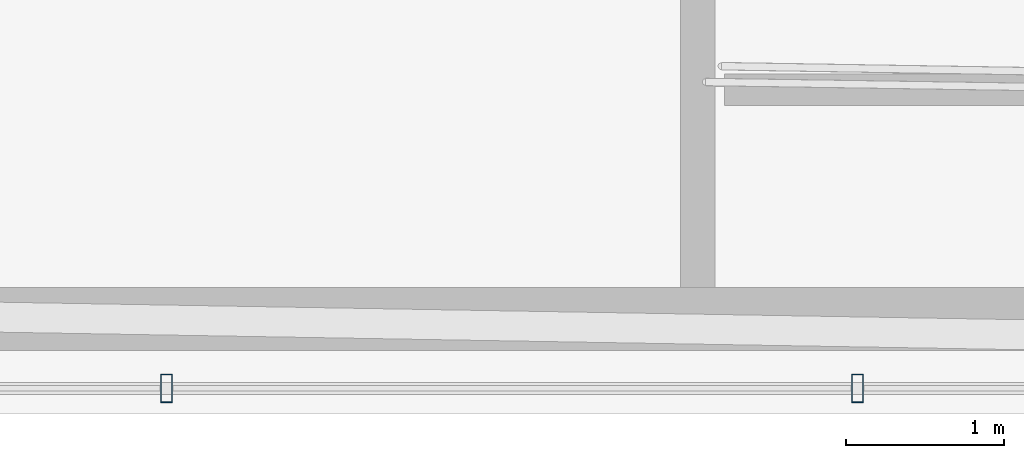
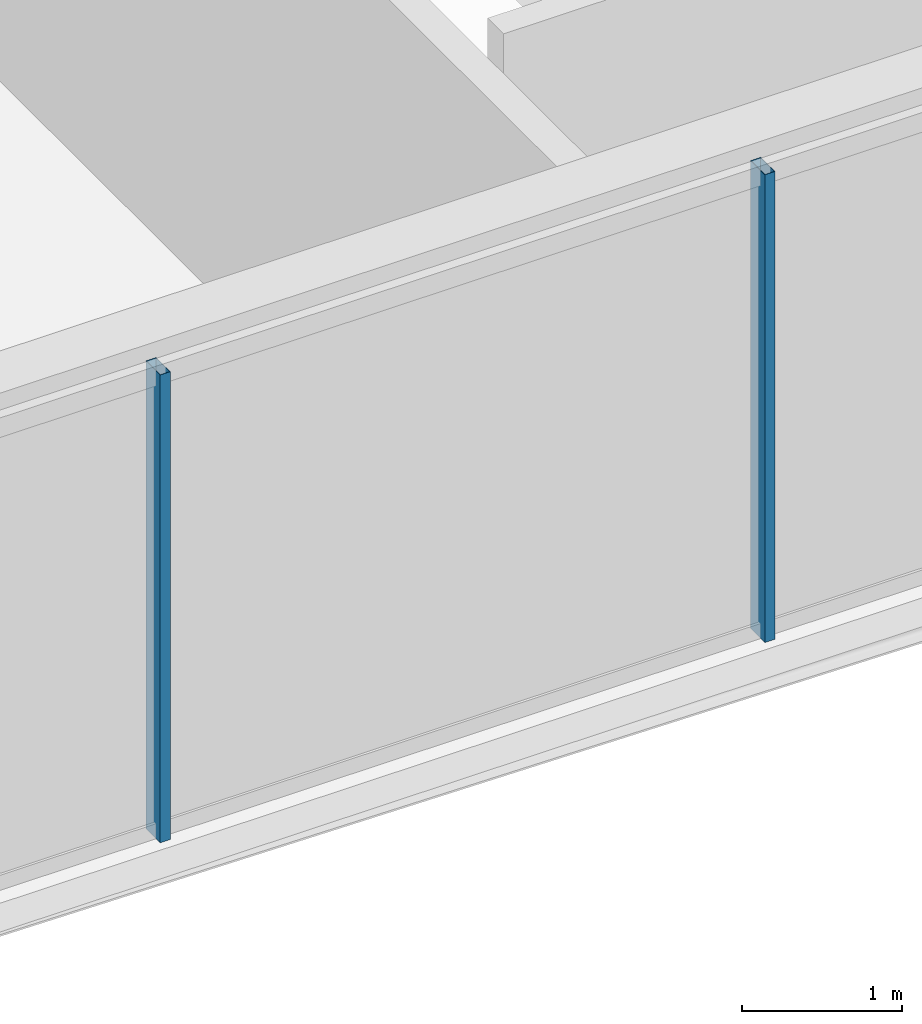
# One storey, part 6 of 29: 2 members, 1 element without a shape of its own.
"""IFC4 building model written with IfcOpenShell, lengths in metres."""

from ifc_helpers import new_model, si_unit, direction, frame, origin, origin_2d, place, context, subcontext, project, spatial, hollow_rectangle, extrude, material, layer, layer_set, material_profile, profile_set, type_object, element, aggregate, save


model = new_model("IFC4")

# Units and contexts
model_context = context("Model", 3, precision=1e-05, world=origin(), true_north=direction((0.0, 1.0)))
body_context = subcontext(model_context, "Body", "Model", "MODEL_VIEW")
ifc_project = project(units=[si_unit("LENGTHUNIT", "METRE"), si_unit("AREAUNIT", "SQUARE_METRE"), si_unit("VOLUMEUNIT", "CUBIC_METRE"), si_unit("PLANEANGLEUNIT", "RADIAN"), si_unit("MASSUNIT", "GRAM", prefix="KILO")], contexts=[model_context])

# Site, building, storey
site_placement = place(None, origin())
site = spatial("IfcSite", under=ifc_project, at=site_placement, CompositionType="ELEMENT")
building_placement = place(site_placement, origin())
building = spatial("IfcBuilding", under=site, at=building_placement, Name="Ndaravel Arena Tower", CompositionType="ELEMENT")
storey_placement = place(building_placement, frame((0.0, 0.0, 244.60009765625)))
storey = spatial("IfcBuildingStorey", under=building, at=storey_placement, Name="L59", CompositionType="ELEMENT", Elevation=244.60009765625)

# Curtain wall, members
ifc_material_1 = material(Name="Aluminium", Category="aluminium")
ifc_layer = layer(ifc_material_1, 0.179931640625)
ifc_layer_set = layer_set([ifc_layer], Name="Aluminium")
curtain_wall_type = type_object("IfcCurtainWallType", Name="CW-SYS-03", PredefinedType="NOTDEFINED", material=ifc_layer_set)
curtain_wall_placement = place(storey_placement, origin())
curtain_wall = element("IfcCurtainWall", 1, at=curtain_wall_placement, inside=storey, type_object=curtain_wall_type, Name="L59 Faceted Crystal Curtain Wall CW-L59-E01", PredefinedType="NOTDEFINED")
ifc_material_2 = material(Name="Aluminium", Category="aluminium")
ifc_material_profile = material_profile(ifc_material_2, hollow_rectangle(XDim=0.074951171875, YDim=0.179931640625, WallThickness=0.00390625, at=origin_2d()), Name="CW MULLION 75x180x4")
ifc_profile_set = profile_set([ifc_material_profile], Name="Aluminium")
member_type = type_object("IfcMemberType", Name="MEM-CW-MUL180", PredefinedType="MULLION", material=ifc_profile_set)
member_1_placement = place(storey_placement, frame((35.43603515625, 5.159912109375, 0.0), z_axis=(0.0, 0.0, 1.0), x_axis=(1.0, 0.0, 0.0)))
member_1 = element("IfcMember", 2, at=member_1_placement, type_object=member_type, Name="CW-L59-E01 Mullion 03", PredefinedType="MULLION", context=body_context, shape_type="SweptSolid", body=[
    extrude(hollow_rectangle(XDim=0.074951171875, YDim=0.179931640625, WallThickness=0.00390625, at=origin_2d()), origin(), (0.0, 0.0, 1.0), 3.579833984375),
])
member_2_placement = place(storey_placement, frame((39.81201171875, 5.159912109375, 0.0), z_axis=(0.0, 0.0, 1.0), x_axis=(1.0, 0.0, 0.0)))
member_2 = element("IfcMember", 3, at=member_2_placement, type_object=member_type, Name="CW-L59-E01 Mullion 04", PredefinedType="MULLION", context=body_context, shape_type="SweptSolid", body=[
    extrude(hollow_rectangle(XDim=0.074951171875, YDim=0.179931640625, WallThickness=0.00390625, at=origin_2d()), origin(), (0.0, 0.0, 1.0), 3.579833984375),
])
aggregate(curtain_wall, [member_1, member_2])

save(model, "model.ifc")
